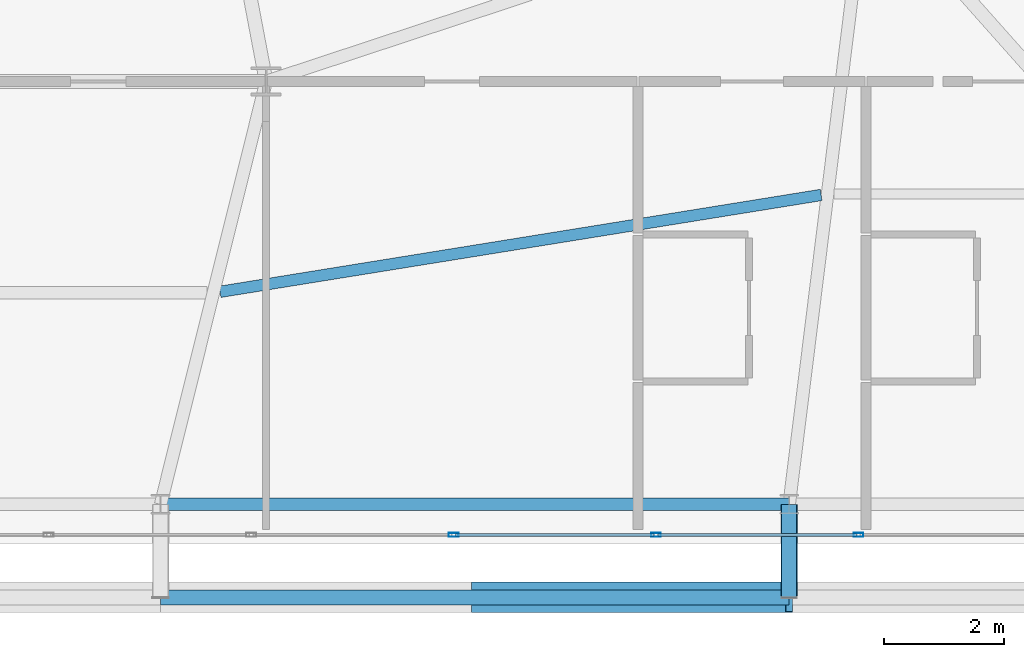
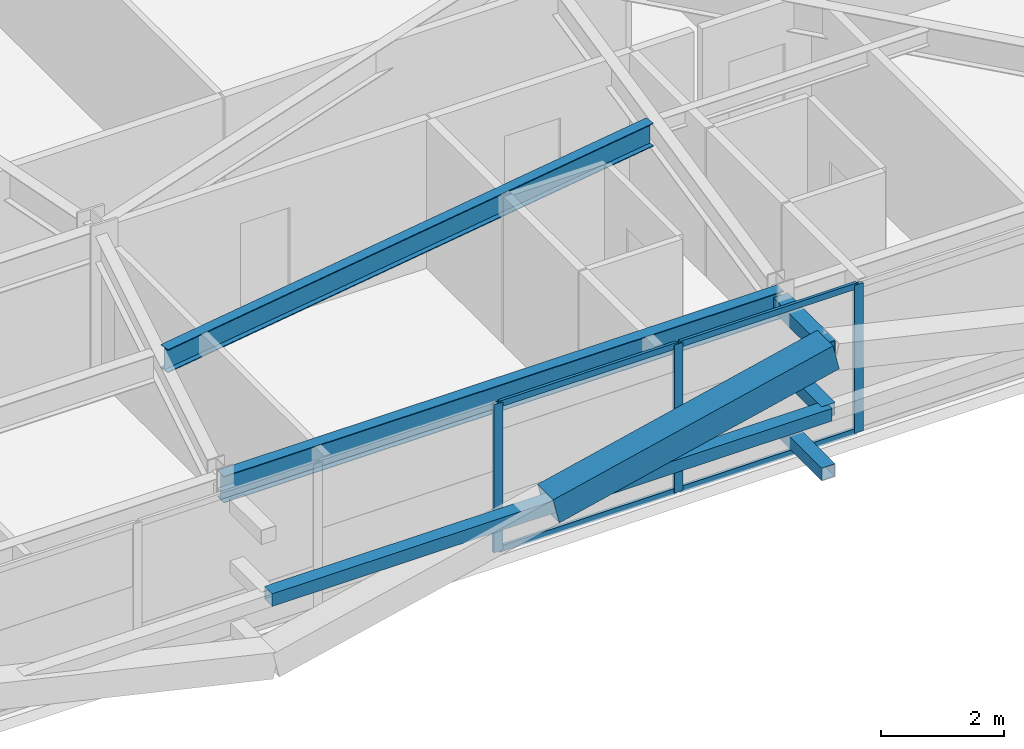
# One storey, part 21 of 58: 12 members, 2 beams, 1 element without a shape of its own.
"""IFC4 building model written with IfcOpenShell, lengths in metres."""

import ifcopenshell
import ifcopenshell.guid

model = None  # the IFC model being written
_history = None  # IfcOwnerHistory: only IFC2X3 demands one
_inside = {}  # id of a spatial element -> (the spatial element, [elements in it])
_under = {}  # id of a project, library or spatial element -> (it, [spatial elements below it])
_declared = {}  # id of a project -> (the project, [libraries it declares])
_typed = {}  # id of a type object -> (the type object, [elements of that type])
_made_of = {}  # id of a material, layer set ... -> (it, [elements and type objects made of it])


def new_model(schema):
    """Start an empty IFC model of exactly this schema.

    Asked for "IFC4X3", IfcOpenShell would pick the latest addendum, in which some entities
    have other attributes; the version numbers below select the first issue.
    IFC2X3 requires an IfcOwnerHistory on every rooted entity: one is made here for all.
    """
    global model, _history
    if schema == "IFC4X3":
        model = ifcopenshell.file(schema_version=(4, 3, 0, 0))
    else:
        model = ifcopenshell.file(schema=schema)
    _inside.clear()
    _under.clear()
    _declared.clear()
    _typed.clear()
    _made_of.clear()
    _history = None
    if model.schema == "IFC2X3":
        org = make("IfcOrganization", Name="unknown")
        user = make(
            "IfcPersonAndOrganization",
            ThePerson=make("IfcPerson", FamilyName="unknown"),
            TheOrganization=org,
        )
        app = make(
            "IfcApplication",
            ApplicationDeveloper=org,
            Version="unknown",
            ApplicationFullName="unknown",
            ApplicationIdentifier="unknown",
        )
        _history = make(
            "IfcOwnerHistory",
            OwningUser=user,
            OwningApplication=app,
            ChangeAction="ADDED",
            CreationDate=0,
        )
    return model


def make(cls, **values):
    """One entity of the class cls with the attributes given. An attribute that is None is left unset."""
    return model.create_entity(
        cls, **{name: value for name, value in values.items() if value is not None}
    )


def rooted(cls, **values):
    """An entity with a GlobalId (a new one), such as an element, a storey or a relation."""
    return make(cls, GlobalId=ifcopenshell.guid.new(), OwnerHistory=_history, **values)


def si_unit(unit_type, name, prefix=None):
    """IfcSIUnit, for example si_unit("LENGTHUNIT", "METRE", prefix="MILLI")."""
    return make("IfcSIUnit", UnitType=unit_type, Prefix=prefix, Name=name)


def assignment(units):
    """IfcUnitAssignment: the units of a project."""
    return None if units is None else make("IfcUnitAssignment", Units=units)


def point(xyz):
    """IfcCartesianPoint."""
    return None if xyz is None else make("IfcCartesianPoint", Coordinates=xyz)


def direction(xyz):
    """IfcDirection."""
    return None if xyz is None else make("IfcDirection", DirectionRatios=xyz)


def frame(location, z_axis=None, x_axis=None):
    """IfcAxis2Placement3D, a coordinate frame: its origin and axes. An axis left out is left unset."""
    return make(
        "IfcAxis2Placement3D",
        Location=point(location),
        Axis=direction(z_axis),
        RefDirection=direction(x_axis),
    )


def frame_2d(location, x_axis=None):
    """IfcAxis2Placement2D, a coordinate frame in the plane: its origin and x axis."""
    return make(
        "IfcAxis2Placement2D", Location=point(location), RefDirection=direction(x_axis)
    )


def origin():
    """The frame at (0, 0, 0) with its axes left unset."""
    return frame((0.0, 0.0, 0.0))


def origin_2d():
    """The frame at (0, 0) in the plane with its x axis left unset."""
    return frame_2d((0.0, 0.0))


def place(relative_to, where):
    """IfcLocalPlacement: puts the frame where relative to a parent placement (None: the world)."""
    return make(
        "IfcLocalPlacement", PlacementRelTo=relative_to, RelativePlacement=where
    )


def context(
    kind, dimensions, precision=None, world=None, true_north=None, identifier=None
):
    """IfcGeometricRepresentationContext, for example the 3D "Model" context."""
    return make(
        "IfcGeometricRepresentationContext",
        ContextIdentifier=identifier,
        ContextType=kind,
        CoordinateSpaceDimension=dimensions,
        Precision=precision,
        WorldCoordinateSystem=world,
        TrueNorth=true_north,
    )


def subcontext(parent, identifier, kind, view, scale=None):
    """IfcGeometricRepresentationSubContext, for example "Body" below "Model"."""
    return make(
        "IfcGeometricRepresentationSubContext",
        ContextIdentifier=identifier,
        ContextType=kind,
        ParentContext=parent,
        TargetScale=scale,
        TargetView=view,
    )


def project(units=None, contexts=None):
    """IfcProject with its units and contexts."""
    return rooted(
        "IfcProject",
        Name="project",
        RepresentationContexts=contexts,
        UnitsInContext=assignment(units),
    )


def spatial(cls, under=None, at=None, **own):
    """A site, building, storey or space (cls), placed at a placement, below another one or the project."""
    s = rooted(cls, ObjectPlacement=at, **own)
    if under is not None:
        _under.setdefault(under.id(), (under, []))[1].append(s)
    return s


def profile(cls, at=None, kind="AREA", **sizes):
    """A parametric profile (cls). Its sizes go by their IFC names, for example OverallWidth=200.0."""
    return make(cls, ProfileType=kind, Position=at, **sizes)


def hollow_rectangle(**sizes):
    """IfcRectangleHollowProfileDef."""
    return profile("IfcRectangleHollowProfileDef", **sizes)


def i_section(**sizes):
    """IfcIShapeProfileDef."""
    return profile("IfcIShapeProfileDef", **sizes)


def extrude(swept, where, along, depth):
    """IfcExtrudedAreaSolid: the profile swept, set in the frame where, extruded along a direction by depth."""
    return make(
        "IfcExtrudedAreaSolid",
        SweptArea=swept,
        Position=where,
        ExtrudedDirection=direction(along),
        Depth=depth,
    )


def shape(context_of_items, identifier, shape_type, items):
    """IfcShapeRepresentation: the items that make up one representation, for example the "Body"."""
    return make(
        "IfcShapeRepresentation",
        ContextOfItems=context_of_items,
        RepresentationIdentifier=identifier,
        RepresentationType=shape_type,
        Items=items,
    )


def source(mapping_origin, context_of_items, identifier, shape_type, items):
    """IfcRepresentationMap: a shape defined once, which mapped items show again and again."""
    return make(
        "IfcRepresentationMap",
        MappingOrigin=mapping_origin,
        MappedRepresentation=shape(context_of_items, identifier, shape_type, items),
    )


def transform(
    local_origin,
    x_axis=None,
    y_axis=None,
    z_axis=None,
    scale=None,
    scale2=None,
    scale3=None,
    uniform=True,
):
    """IfcCartesianTransformationOperator3D, or its non-uniform kind. x_axis, y_axis, z_axis: its Axis1, 2, 3."""
    if uniform:
        return make(
            "IfcCartesianTransformationOperator3D",
            Axis1=direction(x_axis),
            Axis2=direction(y_axis),
            LocalOrigin=point(local_origin),
            Scale=scale,
            Axis3=direction(z_axis),
        )
    return make(
        "IfcCartesianTransformationOperator3DnonUniform",
        Axis1=direction(x_axis),
        Axis2=direction(y_axis),
        LocalOrigin=point(local_origin),
        Scale=scale,
        Axis3=direction(z_axis),
        Scale2=scale2,
        Scale3=scale3,
    )


def mapped(mapping_source, mapping_target):
    """IfcMappedItem: shows the shape of a source again, moved by a transform."""
    return make(
        "IfcMappedItem", MappingSource=mapping_source, MappingTarget=mapping_target
    )


def material(Name=None, Category=None):
    """IfcMaterial."""
    return make("IfcMaterial", Name=Name, Category=Category)


def layer(
    of_material, thickness, ventilated=None, Name=None, Category=None, Priority=None
):
    """IfcMaterialLayer: one layer of a wall or slab, of a material (None: an air gap)."""
    return make(
        "IfcMaterialLayer",
        Material=of_material,
        LayerThickness=thickness,
        IsVentilated=ventilated,
        Name=Name,
        Category=Category,
        Priority=Priority,
    )


def layer_set(layers, Name=None):
    """IfcMaterialLayerSet."""
    return make("IfcMaterialLayerSet", MaterialLayers=layers, LayerSetName=Name)


def material_profile(
    of_material, cross_section, Name=None, Category=None, Priority=None
):
    """IfcMaterialProfile: a cross section and its material."""
    return make(
        "IfcMaterialProfile",
        Name=Name,
        Material=of_material,
        Profile=cross_section,
        Priority=Priority,
        Category=Category,
    )


def profile_set(profiles, Name=None, composite=None):
    """IfcMaterialProfileSet."""
    return make(
        "IfcMaterialProfileSet",
        Name=Name,
        MaterialProfiles=profiles,
        CompositeProfile=composite,
    )


def made_of(thing, what):
    """Note that an element or type object is made of a material, layer set ...; save() writes the relation."""
    if what is not None:
        _made_of.setdefault(what.id(), (what, []))[1].append(thing)
    return thing


def type_object(cls, material=None, **own):
    """A type object (cls), such as IfcWallType, which elements share."""
    return made_of(rooted(cls, **own), material)


def element(
    cls,
    number,
    at=None,
    inside=None,
    cuts=None,
    type_object=None,
    material=None,
    context=None,
    identifier="Body",
    shape_type=None,
    held_by="IfcProductDefinitionShape",
    body=None,
    shapes=None,
    **own,
):
    """One element of the class cls, such as IfcWall. Its Tag is "e" and its number.

    at: its placement. inside: the storey or other place that contains it. cuts: it is an
    opening in that element (IfcRelVoidsElement). A single representation is given by context,
    identifier, shape_type and body (its items); several are given by shapes. held_by: the class
    of the entity that holds the representations. save() writes the other relations.
    """
    e = rooted(cls, Tag="e%d" % number, ObjectPlacement=at, **own)
    if body is not None:
        shapes = [shape(context, identifier, shape_type, body)]
    if shapes is not None:
        e.Representation = make(held_by, Representations=shapes)
    if inside is not None:
        _inside.setdefault(inside.id(), (inside, []))[1].append(e)
    if cuts is not None:
        rooted(
            "IfcRelVoidsElement", RelatingBuildingElement=cuts, RelatedOpeningElement=e
        )
    if type_object is not None:
        _typed.setdefault(type_object.id(), (type_object, []))[1].append(e)
    return made_of(e, material)


def aggregate(whole, parts):
    """IfcRelAggregates: a whole, such as a stair, and the parts it consists of."""
    return rooted("IfcRelAggregates", RelatingObject=whole, RelatedObjects=parts)


def save(model, path):
    """Write the relations noted so far, then the file.

    IfcRelAggregates (storeys below a building ...), IfcRelContainedInSpatialStructure (elements
    in a storey), IfcRelDefinesByType, IfcRelAssociatesMaterial and IfcRelDeclares: one each for
    every whole, place, type object, material and project.
    """
    for whole, parts in _under.values():
        aggregate(whole, parts)
    for where, things in _inside.values():
        rooted(
            "IfcRelContainedInSpatialStructure",
            RelatedElements=things,
            RelatingStructure=where,
        )
    for kind, things in _typed.values():
        rooted("IfcRelDefinesByType", RelatedObjects=things, RelatingType=kind)
    for what, things in _made_of.values():
        rooted("IfcRelAssociatesMaterial", RelatedObjects=things, RelatingMaterial=what)
    for by, libraries in _declared.values():
        rooted("IfcRelDeclares", RelatingContext=by, RelatedDefinitions=libraries)
    model.write(path)


model = new_model("IFC4")

# Units and contexts
model_context = context("Model", 3, precision=1e-05, world=origin(), true_north=direction((0.0, 1.0)))
body_context = subcontext(model_context, "Body", "Model", "MODEL_VIEW")
ifc_project = project(units=[si_unit("LENGTHUNIT", "METRE"), si_unit("AREAUNIT", "SQUARE_METRE"), si_unit("VOLUMEUNIT", "CUBIC_METRE"), si_unit("PLANEANGLEUNIT", "RADIAN"), si_unit("MASSUNIT", "GRAM", prefix="KILO")], contexts=[model_context])

# Site, building, storey
site_placement = place(None, origin())
site = spatial("IfcSite", under=ifc_project, at=site_placement, CompositionType="ELEMENT")
building_placement = place(site_placement, origin())
building = spatial("IfcBuilding", under=site, at=building_placement, Name="Taldren Reach Tower", CompositionType="ELEMENT")
storey_placement = place(building_placement, frame((0.0, 0.0, 51.449951171875)))
storey = spatial("IfcBuildingStorey", under=building, at=storey_placement, Name="L15", CompositionType="ELEMENT", Elevation=51.449951171875)

# Beams
ifc_material_1 = material(Name="Steel Gr 350 (350PLUS)", Category="steel")
ifc_material_profile_1 = material_profile(ifc_material_1, i_section(OverallWidth=0.208984375, OverallDepth=0.528076171875, WebThickness=0.009521484375, FlangeThickness=0.01318359375, at=origin_2d()), Name="530UB82.0")
ifc_profile_set_1 = profile_set([ifc_material_profile_1], Name="Steel Gr 350 (350PLUS)")
beam_type_1 = type_object("IfcBeamType", Name="SP-UB530B", PredefinedType="SPANDREL", material=ifc_profile_set_1)
shared_shape_1 = source(origin(), body_context, "Body", "SweptSolid", [
    extrude(i_section(OverallWidth=0.208984375, OverallDepth=0.528076171875, WebThickness=0.009521484375, FlangeThickness=0.01318359375, at=origin_2d()), origin(), (0.0, 0.0, 1.0), 10.47998046875),
])
beam_1_placement = place(storey_placement, frame((40.239990234375, 2.14990234375, 2.666015625), z_axis=(1.0, 0.0, 0.0), x_axis=(0.0, 1.0, 0.0)))
element("IfcBeam", 1, at=beam_1_placement, inside=storey, type_object=beam_type_1, Name="Perimeter spandrel B1 S4-S5 L15", PredefinedType="SPANDREL", context=body_context, shape_type="MappedRepresentation", body=[
    mapped(shared_shape_1, transform((0.0, 0.0, 0.0), scale=1.0)),
])
ifc_material_profile_2 = material_profile(ifc_material_1, i_section(OverallWidth=0.19091796875, OverallDepth=0.4599609375, WebThickness=0.010009765625, FlangeThickness=0.01611328125, at=origin_2d()), Name="460UB82.1")
ifc_profile_set_2 = profile_set([ifc_material_profile_2], Name="Steel Gr 350 (350PLUS)")
beam_type_2 = type_object("IfcBeamType", Name="BM-UB460A", PredefinedType="BEAM", material=ifc_profile_set_2)
shared_shape_2 = source(origin(), body_context, "Body", "SweptSolid", [
    extrude(i_section(OverallWidth=0.19091796875, OverallDepth=0.4599609375, WebThickness=0.010009765625, FlangeThickness=0.01611328125, at=origin_2d()), origin(), (0.0, 0.0, 1.0), 10.1494140625),
])
beam_2_placement = place(storey_placement, frame((41.232177734375, 5.693115234375, 2.699951171875), z_axis=(0.987266967452, 0.159072106224, 0.0), x_axis=(-0.159072106224, 0.987266967452, 0.0)))
element("IfcBeam", 2, at=beam_2_placement, inside=storey, type_object=beam_type_2, Name="Secondary floor beam B1 J4 L15", PredefinedType="BEAM", context=body_context, shape_type="MappedRepresentation", body=[
    mapped(shared_shape_2, transform((0.0, 0.0, 0.0), scale=1.0)),
])

# Members
ifc_material_2 = material(Name="Steel Gr 450 (C450L0)", Category="steel")
ifc_material_profile_3 = material_profile(ifc_material_2, hollow_rectangle(XDim=0.27490234375, YDim=0.27490234375, WallThickness=0.00927734375, at=origin_2d()), Name="275x275x9.3SHS")
ifc_profile_set_3 = profile_set([ifc_material_profile_3], Name="Steel Gr 450 (C450L0)")
member_type_1 = type_object("IfcMemberType", Name="MB-TIE273", PredefinedType="STRUT", material=ifc_profile_set_3)
shared_shape_3 = source(origin(), body_context, "Body", "SweptSolid", [
    extrude(hollow_rectangle(XDim=0.27490234375, YDim=0.27490234375, WallThickness=0.00927734375, at=origin_2d()), origin(), (0.0, 0.0, 1.0), 1.5498046875),
])
member_1_placement = place(storey_placement, frame((50.719970703125, 2.14990234375, 2.650146484375), z_axis=(0.0, -1.0, 0.0), x_axis=(1.0, 0.0, 0.0)))
element("IfcMember", 3, at=member_1_placement, inside=storey, type_object=member_type_1, Name="Exoskeleton diaphragm tie strut B1-S5 L15", PredefinedType="STRUT", context=body_context, shape_type="MappedRepresentation", body=[
    mapped(shared_shape_3, transform((0.0, 0.0, 0.0), scale=1.0)),
])
ifc_material_profile_4 = material_profile(ifc_material_2, hollow_rectangle(XDim=0.510009765625, YDim=0.510009765625, WallThickness=0.02001953125, at=origin_2d()), Name="510x510x20.0SHS")
ifc_profile_set_4 = profile_set([ifc_material_profile_4], Name="Steel Gr 450 (C450L0)")
member_type_2 = type_object("IfcMemberType", Name="MB-EXO508", PredefinedType="BRACE", material=ifc_profile_set_4)
shared_shape_4 = source(origin(), body_context, "Body", "SweptSolid", [
    extrude(hollow_rectangle(XDim=0.510009765625, YDim=0.510009765625, WallThickness=0.02001953125, at=origin_2d()), origin(), (0.0, 0.0, 1.0), 5.37890625),
])
member_2_placement = place(storey_placement, frame((45.47998046875, 0.60009765625, 1.43505859375), z_axis=(0.97415197996, 0.0, 0.225893603143), x_axis=(0.0, 1.0, 0.0)))
element("IfcMember", 4, at=member_2_placement, inside=storey, type_object=member_type_2, Name="Exoskeleton Diagrid Brace B1-S4 L15", PredefinedType="BRACE", context=body_context, shape_type="MappedRepresentation", body=[
    mapped(shared_shape_4, transform((0.0, 0.0, 0.0), scale=1.0)),
])
ifc_material_3 = material(Name="Steel Gr 350 (C350L0)", Category="steel")
ifc_material_profile_5 = material_profile(ifc_material_3, hollow_rectangle(XDim=0.25, YDim=0.25, WallThickness=0.010009765625, at=origin_2d()), Name="250x250x10.0SHS")
ifc_profile_set_5 = profile_set([ifc_material_profile_5], Name="Steel Gr 350 (C350L0)")
member_type_3 = type_object("IfcMemberType", Name="MB-POST250", PredefinedType="POST", material=ifc_profile_set_5)
shared_shape_5 = source(origin(), body_context, "Body", "SweptSolid", [
    extrude(hollow_rectangle(XDim=0.25, YDim=0.25, WallThickness=0.010009765625, at=origin_2d()), origin(), (0.0, 0.0, 1.0), 10.47998046875),
])
member_3_placement = place(storey_placement, frame((40.239990234375, 0.60009765625, 1.43505859375), z_axis=(1.0, 0.0, 0.0), x_axis=(0.0, 1.0, 0.0)))
element("IfcMember", 5, at=member_3_placement, inside=storey, type_object=member_type_3, Name="Exoskeleton mid-height ring chord B1-S4 L15", PredefinedType="POST", context=body_context, shape_type="MappedRepresentation", body=[
    mapped(shared_shape_5, transform((0.0, 0.0, 0.0), scale=1.0)),
])
shared_shape_6 = source(origin(), body_context, "Body", "SweptSolid", [
    extrude(hollow_rectangle(XDim=0.25, YDim=0.25, WallThickness=0.010009765625, at=origin_2d()), origin(), (0.0, 0.0, 1.0), 1.5498046875),
])
for number, where, z_axis, x_axis, name in (
    (6, (50.719970703125, 2.14990234375, 0.219970703125), (0.0, -1.0, 0.0), (1.0, 0.0, 0.0), "Exoskeleton base diaphragm tie strut B1-S5 L15"),
    (7, (50.719970703125, 2.14990234375, 1.43505859375), (0.0, -1.0, 0.0), (1.0, 0.0, 0.0), "Exoskeleton mid-tier diaphragm tie B1-S5 L15"),
):
    element("IfcMember", number, at=place(storey_placement, frame(where, z_axis=z_axis, x_axis=x_axis)), inside=storey, type_object=member_type_3, Name=name, PredefinedType="POST", context=body_context, shape_type="MappedRepresentation", body=[
        mapped(shared_shape_6, transform((0.0, 0.0, 0.0), scale=1.0)),
    ])

# Curtain wall, members
ifc_material_4 = material(Name="Aluminium and Low-E Glass Unitised System", Category="aluminium")
ifc_layer = layer(ifc_material_4, 0.159912109375)
ifc_layer_set = layer_set([ifc_layer], Name="Aluminium and Low-E Glass Unitised System")
curtain_wall_type = type_object("IfcCurtainWallType", Name="CW-SYS-2", PredefinedType="NOTDEFINED", material=ifc_layer_set)
curtain_wall_placement = place(storey_placement, origin())
curtain_wall = element("IfcCurtainWall", 8, at=curtain_wall_placement, inside=storey, type_object=curtain_wall_type, Name="Unitised curtain wall CW-L15-S", PredefinedType="NOTDEFINED")
ifc_material_5 = material(Name="Anodised Aluminium 6063-T6", Category="aluminium")
ifc_material_profile_6 = material_profile(ifc_material_5, hollow_rectangle(XDim=0.06494140625, YDim=0.1650390625, WallThickness=0.00390625, at=origin_2d()), Name="ALU-165x65x4RHS")
ifc_profile_set_6 = profile_set([ifc_material_profile_6], Name="Anodised Aluminium 6063-T6")
member_type_4 = type_object("IfcMemberType", Name="CW-MUL-165", PredefinedType="MULLION", material=ifc_profile_set_6)
shared_shape_7 = source(origin(), body_context, "Body", "SweptSolid", [
    extrude(hollow_rectangle(XDim=0.06494140625, YDim=0.1650390625, WallThickness=0.00390625, at=origin_2d()), origin(), (0.0, 0.0, 1.0), 2.929931640625),
])
member_4_placement = place(storey_placement, frame((45.125, 1.639892578125, 0.0), z_axis=(0.0, 0.0, 1.0), x_axis=(0.0, 1.0, 0.0)))
member_4 = element("IfcMember", 9, at=member_4_placement, type_object=member_type_4, Name="CW-2 mullion 12", PredefinedType="MULLION", context=body_context, shape_type="MappedRepresentation", body=[
    mapped(shared_shape_7, transform((0.0, 0.0, 0.0), scale=1.0)),
])
member_5_placement = place(storey_placement, frame((48.5, 1.639892578125, 0.0), z_axis=(0.0, 0.0, 1.0), x_axis=(0.0, 1.0, 0.0)))
member_5 = element("IfcMember", 10, at=member_5_placement, type_object=member_type_4, Name="CW-2 mullion 13", PredefinedType="MULLION", context=body_context, shape_type="MappedRepresentation", body=[
    mapped(shared_shape_7, transform((0.0, 0.0, 0.0), scale=1.0)),
])
member_6_placement = place(storey_placement, frame((51.875, 1.639892578125, 0.0), z_axis=(0.0, 0.0, 1.0), x_axis=(0.0, 1.0, 0.0)))
member_6 = element("IfcMember", 11, at=member_6_placement, type_object=member_type_4, Name="CW-2 mullion 14", PredefinedType="MULLION", context=body_context, shape_type="MappedRepresentation", body=[
    mapped(shared_shape_7, transform((0.0, 0.0, 0.0), scale=1.0)),
])
ifc_material_profile_7 = material_profile(ifc_material_5, hollow_rectangle(XDim=0.054931640625, YDim=0.1201171875, WallThickness=0.0029296875, at=origin_2d()), Name="ALU-120x55x3RHS")
ifc_profile_set_7 = profile_set([ifc_material_profile_7], Name="Anodised Aluminium 6063-T6")
member_type_5 = type_object("IfcMemberType", Name="CW-TRN-135", PredefinedType="USERDEFINED", material=ifc_profile_set_7)
shared_shape_8 = source(origin(), body_context, "Body", "SweptSolid", [
    extrude(hollow_rectangle(XDim=0.054931640625, YDim=0.1201171875, WallThickness=0.0029296875, at=origin_2d()), origin(), (0.0, 0.0, 1.0), 3.31005859375),
])
member_7_placement = place(storey_placement, frame((45.157470703125, 1.639892578125, 0.027587890625), z_axis=(1.0, 0.0, 0.0), x_axis=(0.0, 1.0, 0.0)))
member_7 = element("IfcMember", 12, at=member_7_placement, type_object=member_type_5, Name="CW-2 transom 12.1", ObjectType="TRANSOM", PredefinedType="USERDEFINED", context=body_context, shape_type="MappedRepresentation", body=[
    mapped(shared_shape_8, transform((0.0, 0.0, 0.0), scale=1.0)),
])
member_8_placement = place(storey_placement, frame((45.157470703125, 1.639892578125, 2.902587890625), z_axis=(1.0, 0.0, 0.0), x_axis=(0.0, 1.0, 0.0)))
member_8 = element("IfcMember", 13, at=member_8_placement, type_object=member_type_5, Name="CW-2 transom 12.2", ObjectType="TRANSOM", PredefinedType="USERDEFINED", context=body_context, shape_type="MappedRepresentation", body=[
    mapped(shared_shape_8, transform((0.0, 0.0, 0.0), scale=1.0)),
])
member_9_placement = place(storey_placement, frame((48.532470703125, 1.639892578125, 0.027587890625), z_axis=(1.0, 0.0, 0.0), x_axis=(0.0, 1.0, 0.0)))
member_9 = element("IfcMember", 14, at=member_9_placement, type_object=member_type_5, Name="CW-2 transom 13.1", ObjectType="TRANSOM", PredefinedType="USERDEFINED", context=body_context, shape_type="MappedRepresentation", body=[
    mapped(shared_shape_8, transform((0.0, 0.0, 0.0), scale=1.0)),
])
member_10_placement = place(storey_placement, frame((48.532470703125, 1.639892578125, 2.902587890625), z_axis=(1.0, 0.0, 0.0), x_axis=(0.0, 1.0, 0.0)))
member_10 = element("IfcMember", 15, at=member_10_placement, type_object=member_type_5, Name="CW-2 transom 13.2", ObjectType="TRANSOM", PredefinedType="USERDEFINED", context=body_context, shape_type="MappedRepresentation", body=[
    mapped(shared_shape_8, transform((0.0, 0.0, 0.0), scale=1.0)),
])
aggregate(curtain_wall, [member_4, member_5, member_6, member_7, member_8, member_9, member_10])

save(model, "model.ifc")
